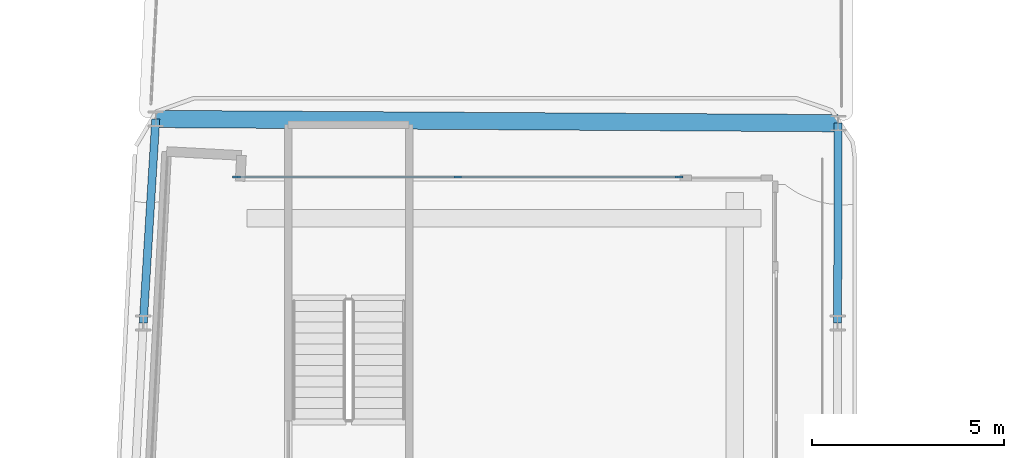
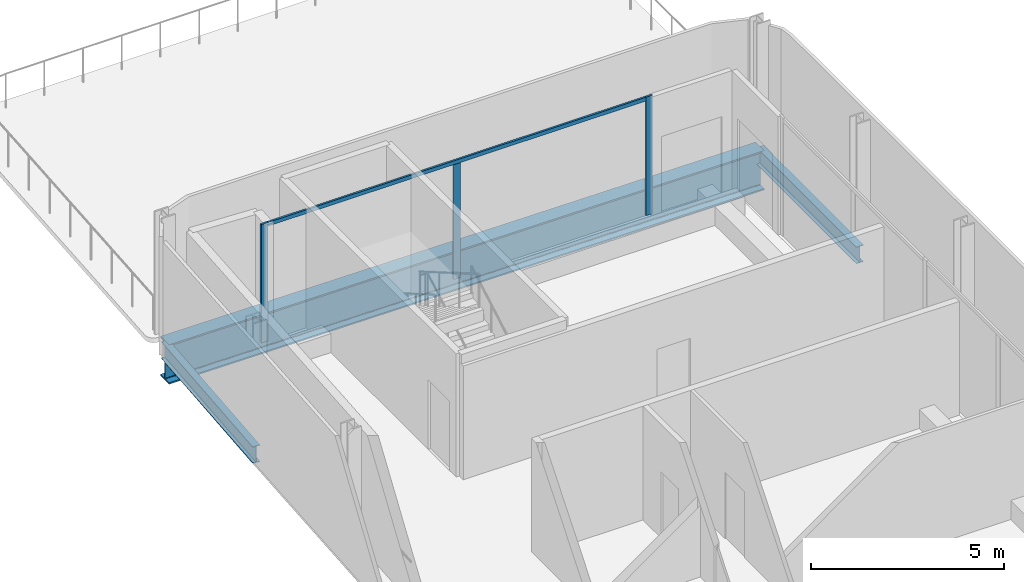
# One storey, part 7 of 22: 4 members, 3 beams, 1 element without a shape of its own.
"""IFC4 building model written with IfcOpenShell, lengths in metres."""

from ifc_helpers import new_model, si_unit, direction, frame, origin, origin_2d, place, context, subcontext, project, spatial, rectangle, i_section, extrude, material, layer, layer_set, material_profile, profile_set, type_object, element, aggregate, save


model = new_model("IFC4")

# Units and contexts
model_context = context("Model", 3, precision=1e-05, world=origin(), true_north=direction((0.0, 1.0)))
body_context = subcontext(model_context, "Body", "Model", "MODEL_VIEW")
ifc_project = project(units=[si_unit("LENGTHUNIT", "METRE"), si_unit("AREAUNIT", "SQUARE_METRE"), si_unit("VOLUMEUNIT", "CUBIC_METRE"), si_unit("PLANEANGLEUNIT", "RADIAN"), si_unit("MASSUNIT", "GRAM", prefix="KILO")], contexts=[model_context])

# Site, building, storey
site_placement = place(None, origin())
site = spatial("IfcSite", under=ifc_project, at=site_placement, CompositionType="ELEMENT")
building_placement = place(site_placement, origin())
building = spatial("IfcBuilding", under=site, at=building_placement, Name="Kheshtan School and Residences Tower", CompositionType="ELEMENT")
storey_placement = place(building_placement, frame((0.0, 0.0, 216.199951171875)))
storey = spatial("IfcBuildingStorey", under=building, at=storey_placement, Name="L50", CompositionType="ELEMENT", Elevation=216.199951171875)

# Beams
ifc_material_1 = material(Name="Steel ASTM A992 Grade 50", Category="steel")
ifc_material_profile_1 = material_profile(ifc_material_1, i_section(OverallWidth=0.208984375, OverallDepth=0.532958984375, WebThickness=0.01025390625, FlangeThickness=0.015625, FilletRadius=0.013916015625, at=origin_2d()), Name="W530x92")
ifc_profile_set_1 = profile_set([ifc_material_profile_1], Name="Steel ASTM A992 Grade 50")
beam_type_1 = type_object("IfcBeamType", Name="Beam SP3 W530x92 ASTM A992 Grade 50", PredefinedType="BEAM", material=ifc_profile_set_1)
beam_1_placement = place(storey_placement, frame((47.611083984375, 88.60009765625, -0.41650390625), z_axis=(-0.002112671341, -0.999997768307, 0.0), x_axis=(0.999997768307, -0.002112671341, 0.0)))
element("IfcBeam", 1, at=beam_1_placement, inside=storey, type_object=beam_type_1, Name="Spandrel beam C093-C091", PredefinedType="BEAM", context=body_context, shape_type="SweptSolid", body=[
    extrude(i_section(OverallWidth=0.208984375, OverallDepth=0.532958984375, WebThickness=0.01025390625, FlangeThickness=0.015625, FilletRadius=0.013916015625, at=origin_2d()), origin(), (0.0, 0.0, 1.0), 5.2001953125),
])
beam_2_placement = place(storey_placement, frame((29.527099609375, 83.39990234375, -0.41650390625), z_axis=(0.061446885747, 0.998110354736, 0.0), x_axis=(-0.998110354736, 0.061446885747, 0.0)))
element("IfcBeam", 2, at=beam_2_placement, inside=storey, type_object=beam_type_1, Name="Spandrel beam C090-C096", PredefinedType="BEAM", context=body_context, shape_type="SweptSolid", body=[
    extrude(i_section(OverallWidth=0.208984375, OverallDepth=0.532958984375, WebThickness=0.01025390625, FlangeThickness=0.015625, FilletRadius=0.013916015625, at=origin_2d()), origin(), (0.0, 0.0, 1.0), 5.320068359375),
])

# Curtain wall, members
ifc_material_2 = material(Name="Clear low-e glass in thermally broken aluminium frame", Category="aluminium")
ifc_layer = layer(ifc_material_2, 0.199951171875)
ifc_layer_set = layer_set([ifc_layer], Name="Curtain wall CW-L")
curtain_wall_type = type_object("IfcCurtainWallType", Name="Curtain wall CW-L", PredefinedType="NOTDEFINED", material=ifc_layer_set)
curtain_wall_placement = place(storey_placement, origin())
curtain_wall = element("IfcCurtainWall", 3, at=curtain_wall_placement, inside=storey, type_object=curtain_wall_type, Name="Curtain wall CWL3", PredefinedType="NOTDEFINED")
ifc_material_3 = material(Name="Thermally broken aluminium, dark bronze anodised", Category="aluminium")
ifc_material_profile_2 = material_profile(ifc_material_3, rectangle(XDim=0.06005859375, YDim=0.199951171875, at=origin_2d()), Name="CW-L mullion 60x200")
ifc_profile_set_2 = profile_set([ifc_material_profile_2], Name="Thermally broken aluminium, dark bronze anodised")
member_type_1 = type_object("IfcMemberType", Name="CW-L mullion 60x200", PredefinedType="MULLION", material=ifc_profile_set_2)
member_1_placement = place(storey_placement, frame((31.9541015625, 87.199951171875, 0.0), z_axis=(0.0, 0.0, 1.0), x_axis=(0.0, 1.0, 0.0)))
member_1 = element("IfcMember", 4, at=member_1_placement, type_object=member_type_1, Name="CWL3 mullion 1", PredefinedType="MULLION", context=body_context, shape_type="SweptSolid", body=[
    extrude(rectangle(XDim=0.06005859375, YDim=0.199951171875, at=origin_2d()), origin(), (0.0, 0.0, 1.0), 3.75),
])
member_2_placement = place(storey_placement, frame((37.7119140625, 87.199951171875, 0.0), z_axis=(0.0, 0.0, 1.0), x_axis=(0.0, 1.0, 0.0)))
member_2 = element("IfcMember", 5, at=member_2_placement, type_object=member_type_1, Name="CWL3 mullion 2", PredefinedType="MULLION", context=body_context, shape_type="SweptSolid", body=[
    extrude(rectangle(XDim=0.06005859375, YDim=0.199951171875, at=origin_2d()), origin(), (0.0, 0.0, 1.0), 3.630126953125),
])
member_3_placement = place(storey_placement, frame((43.469970703125, 87.199951171875, 0.0), z_axis=(0.0, 0.0, 1.0), x_axis=(0.0, 1.0, 0.0)))
member_3 = element("IfcMember", 6, at=member_3_placement, type_object=member_type_1, Name="CWL3 mullion 3", PredefinedType="MULLION", context=body_context, shape_type="SweptSolid", body=[
    extrude(rectangle(XDim=0.06005859375, YDim=0.199951171875, at=origin_2d()), origin(), (0.0, 0.0, 1.0), 3.75),
])
ifc_material_profile_3 = material_profile(ifc_material_3, rectangle(XDim=0.06005859375, YDim=0.1201171875, at=origin_2d()), Name="CW-L transom 60x120")
ifc_profile_set_3 = profile_set([ifc_material_profile_3], Name="Thermally broken aluminium, dark bronze anodised")
member_type_2 = type_object("IfcMemberType", Name="CW-L transom 60x120", PredefinedType="USERDEFINED", material=ifc_profile_set_3)
member_4_placement = place(storey_placement, frame((31.98388671875, 87.199951171875, 3.68994140625), z_axis=(1.0, 0.0, 0.0), x_axis=(0.0, 1.0, 0.0)))
member_4 = element("IfcMember", 7, at=member_4_placement, type_object=member_type_2, Name="CWL3 transom 1", ObjectType="TRANSOM", PredefinedType="USERDEFINED", context=body_context, shape_type="SweptSolid", body=[
    extrude(rectangle(XDim=0.06005859375, YDim=0.1201171875, at=origin_2d()), origin(), (0.0, 0.0, 1.0), 11.4560546875),
])
aggregate(curtain_wall, [member_1, member_2, member_3, member_4])

# Beam
ifc_material_profile_4 = material_profile(ifc_material_1, i_section(OverallWidth=0.449951171875, OverallDepth=1.25, WebThickness=0.02490234375, FlangeThickness=0.044921875, FilletRadius=0.03759765625, at=origin_2d()), Name="WWF1250x546")
ifc_profile_set_4 = profile_set([ifc_material_profile_4], Name="Steel ASTM A992 Grade 50")
beam_type_2 = type_object("IfcBeamType", Name="Transfer girder TG4 WWF1250x546 ASTM A992 Grade 50", PredefinedType="BEAM", material=ifc_profile_set_4)
beam_3_placement = place(storey_placement, frame((29.85400390625, 88.7099609375, -0.77490234375), z_axis=(0.999980860986, -0.006186894359, 0.0), x_axis=(0.006186894359, 0.999980860986, 0.0)))
element("IfcBeam", 8, at=beam_3_placement, inside=storey, type_object=beam_type_2, Name="Transfer girder C096-C093", PredefinedType="BEAM", context=body_context, shape_type="SweptSolid", body=[
    extrude(i_section(OverallWidth=0.449951171875, OverallDepth=1.25, WebThickness=0.02490234375, FlangeThickness=0.044921875, FilletRadius=0.03759765625, at=origin_2d()), origin(), (0.0, 0.0, 1.0), 17.75732421875),
])

save(model, "model.ifc")
